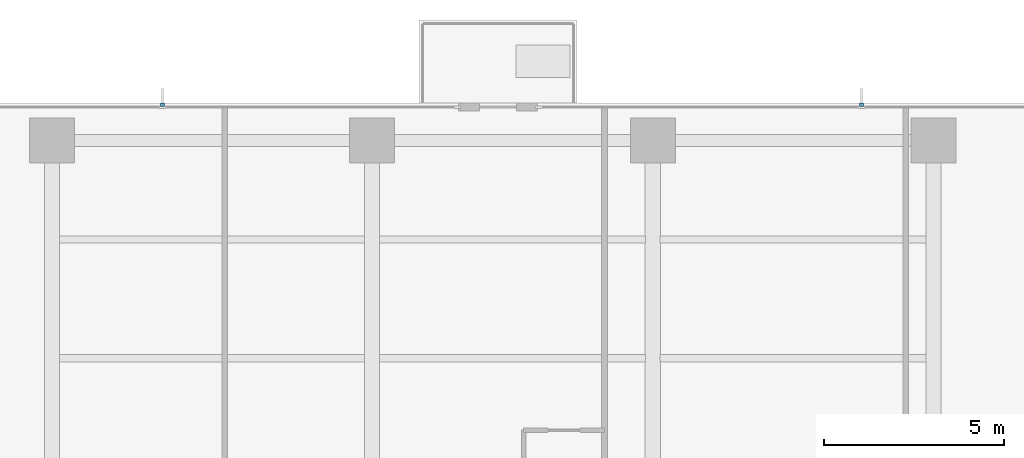
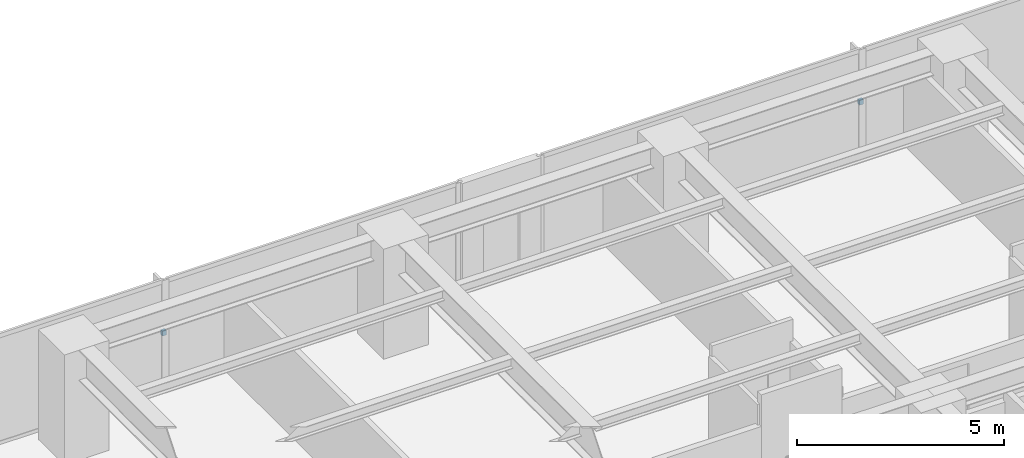
# One storey, part 15 of 17: 2 discrete accessories.
"""IFC4 building model written with IfcOpenShell, lengths in metres."""

from ifc_helpers import new_model, si_unit, direction, frame, origin, place, context, subcontext, project, spatial, polyline, outline, extrude, material, type_object, element, save


model = new_model("IFC4")

# Units and contexts
model_context = context("Model", 3, precision=1e-05, world=origin(), true_north=direction((0.0, 1.0)))
body_context = subcontext(model_context, "Body", "Model", "MODEL_VIEW")
ifc_project = project(units=[si_unit("LENGTHUNIT", "METRE"), si_unit("AREAUNIT", "SQUARE_METRE"), si_unit("VOLUMEUNIT", "CUBIC_METRE"), si_unit("PLANEANGLEUNIT", "RADIAN"), si_unit("MASSUNIT", "GRAM", prefix="KILO")], contexts=[model_context])

# Site, building, storey
site_placement = place(None, origin())
site = spatial("IfcSite", under=ifc_project, at=site_placement, CompositionType="ELEMENT")
building_placement = place(site_placement, origin())
building = spatial("IfcBuilding", under=site, at=building_placement, Name="Qalmaran Belvedere Hotel", CompositionType="ELEMENT")
storey_placement = place(building_placement, frame((0.0, 0.0, 98.699951171875)))
storey = spatial("IfcBuildingStorey", under=building, at=storey_placement, Name="L24", CompositionType="ELEMENT", Elevation=98.699951171875)

# Discrete accessories
ifc_material = material(Name="Stainless Steel 1.4401", Category="steel")
discrete_accessory_type = type_object("IfcDiscreteAccessoryType", Name="BRK-FIN-SS316", PredefinedType="BRACKET", material=ifc_material)
discrete_accessory_1_placement = place(storey_placement, frame((0.0, 0.0, 1.570068359375)))
element("IfcDiscreteAccessory", 1, at=discrete_accessory_1_placement, inside=storey, type_object=discrete_accessory_type, Name="L24 Fin Bracket 1", PredefinedType="BRACKET", context=body_context, shape_type="SweptSolid", body=[
    extrude(outline(polyline([(23.429931640625, 46.39501953125), (23.429931640625, 46.489990234375), (23.320068359375, 46.489990234375), (23.320068359375, 46.39501953125), (23.429931640625, 46.39501953125)])), origin(), (0.0, 0.0, 1.0), 0.139892578125),
])
discrete_accessory_2_placement = place(storey_placement, frame((0.0, 0.0, 1.570068359375)))
element("IfcDiscreteAccessory", 2, at=discrete_accessory_2_placement, inside=storey, type_object=discrete_accessory_type, Name="L24 Fin Bracket 1", PredefinedType="BRACKET", context=body_context, shape_type="SweptSolid", body=[
    extrude(outline(polyline([(42.85498046875, 46.39501953125), (42.85498046875, 46.489990234375), (42.7451171875, 46.489990234375), (42.7451171875, 46.39501953125), (42.85498046875, 46.39501953125)])), origin(), (0.0, 0.0, 1.0), 0.139892578125),
])

save(model, "model.ifc")
